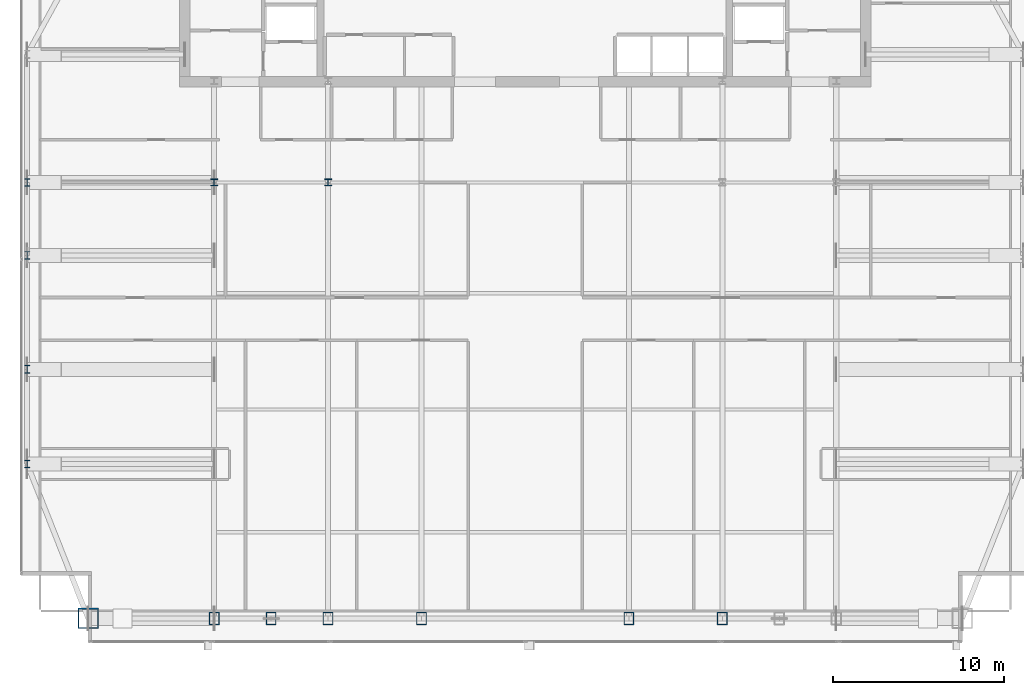
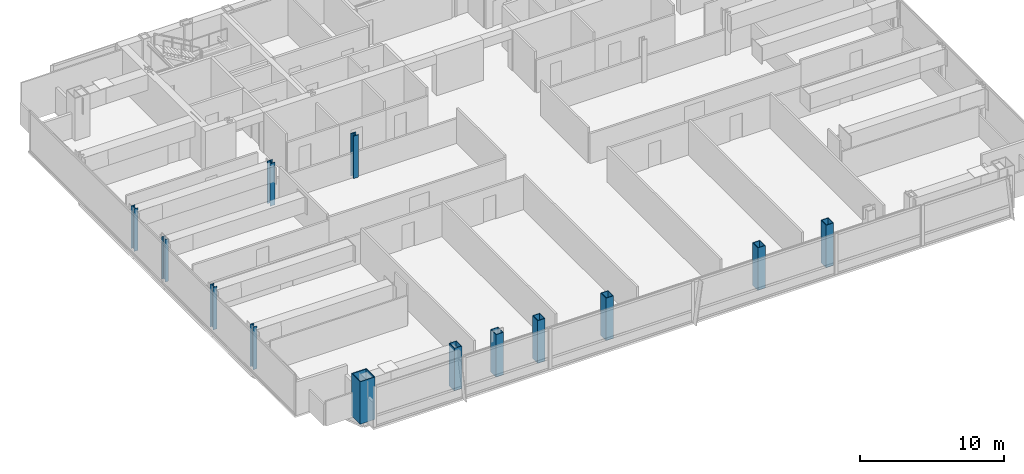
# One storey, part 1 of 26: 13 columns.
"""IFC4 building model written with IfcOpenShell, lengths in metres."""

from ifc_helpers import new_model, si_unit, direction, frame, origin, origin_2d, place, context, subcontext, project, spatial, hollow_rectangle, i_section, extrude, material, material_profile, profile_set, type_object, element, save


model = new_model("IFC4")

# Units and contexts
model_context = context("Model", 3, precision=1e-05, world=origin(), true_north=direction((0.0, 1.0)))
body_context = subcontext(model_context, "Body", "Model", "MODEL_VIEW")
ifc_project = project(units=[si_unit("LENGTHUNIT", "METRE"), si_unit("AREAUNIT", "SQUARE_METRE"), si_unit("VOLUMEUNIT", "CUBIC_METRE"), si_unit("PLANEANGLEUNIT", "RADIAN"), si_unit("MASSUNIT", "GRAM", prefix="KILO")], contexts=[model_context])

# Site, building, storey
site_placement = place(None, origin())
site = spatial("IfcSite", under=ifc_project, at=site_placement, CompositionType="ELEMENT")
building_placement = place(site_placement, origin())
building = spatial("IfcBuilding", under=site, at=building_placement, Name="Khoronbel Lancet Exchange", CompositionType="ELEMENT")
storey_placement = place(building_placement, frame((0.0, 0.0, 235.39990234375)))
storey = spatial("IfcBuildingStorey", under=building, at=storey_placement, Name="L60", CompositionType="ELEMENT", Elevation=235.39990234375)

# Columns
ifc_material_1 = material(Name="Steel S460", Category="steel")
ifc_material_profile_1 = material_profile(ifc_material_1, hollow_rectangle(XDim=0.60009765625, YDim=0.75, WallThickness=0.044921875, at=origin_2d()), Name="BOX 750x600x45")
ifc_profile_set_1 = profile_set([ifc_material_profile_1], Name="Steel S460")
column_type_1 = type_object("IfcColumnType", Name="COL-EC3", PredefinedType="COLUMN", material=ifc_profile_set_1)
for number, where, z_axis, x_axis, name in (
    (1, (18.22509765625, 10.14990234375, 0.0), (0.0, 0.0, 1.0), (1.0, 0.0, 0.0), "Structural column SC-W1 L60"),
    (2, (21.5625, 10.14990234375, 0.0), (0.0, 0.0, 1.0), (1.0, 0.0, 0.0), "Structural column SC-WM L60"),
    (3, (24.89990234375, 10.14990234375, 0.0), (0.0, 0.0, 1.0), (1.0, 0.0, 0.0), "Structural column SC-W2 L60"),
    (4, (30.375, 10.14990234375, 0.0), (0.0, 0.0, 1.0), (1.0, 0.0, 0.0), "Structural column SC-C1 L60"),
    (5, (42.52490234375, 10.14990234375, 0.0), (0.0, 0.0, 1.0), (1.0, 0.0, 0.0), "Structural column SC-C2 L60"),
    (6, (48.0, 10.14990234375, 0.0), (0.0, 0.0, 1.0), (1.0, 0.0, 0.0), "Structural column SC-E1 L60"),
):
    element("IfcColumn", number, at=place(storey_placement, frame(where, z_axis=z_axis, x_axis=x_axis)), inside=storey, type_object=column_type_1, Name=name, PredefinedType="COLUMN", context=body_context, shape_type="SweptSolid", body=[
        extrude(hollow_rectangle(XDim=0.60009765625, YDim=0.75, WallThickness=0.044921875, at=origin_2d()), origin(), (0.0, 0.0, 1.0), 3.60009765625),
    ])
ifc_material_2 = material(Name="Steel S355", Category="steel")
ifc_material_profile_2 = material_profile(ifc_material_2, i_section(OverallWidth=0.406005859375, OverallDepth=0.416015625, WebThickness=0.02978515625, FlangeThickness=0.048095703125, at=origin_2d()), Name="HD 400x382")
ifc_profile_set_2 = profile_set([ifc_material_profile_2], Name="Steel S355")
column_type_2 = type_object("IfcColumnType", Name="COL-IC3", PredefinedType="COLUMN", material=ifc_profile_set_2)
for number, where, z_axis, x_axis, name in (
    (7, (18.22509765625, 35.699951171875, 0.0), (0.0, 0.0, 1.0), (1.0, 0.0, 0.0), "Spine gravity column TC1 L60"),
    (8, (24.89990234375, 35.699951171875, 0.0), (0.0, 0.0, 1.0), (1.0, 0.0, 0.0), "Spine gravity column TC2 L60"),
):
    element("IfcColumn", number, at=place(storey_placement, frame(where, z_axis=z_axis, x_axis=x_axis)), inside=storey, type_object=column_type_2, Name=name, PredefinedType="COLUMN", context=body_context, shape_type="SweptSolid", body=[
        extrude(i_section(OverallWidth=0.406005859375, OverallDepth=0.416015625, WebThickness=0.02978515625, FlangeThickness=0.048095703125, at=origin_2d()), origin(), (0.0, 0.0, 1.0), 3.60009765625),
    ])
ifc_material_profile_3 = material_profile(ifc_material_2, i_section(OverallWidth=0.300048828125, OverallDepth=0.449951171875, WebThickness=0.013916015625, FlangeThickness=0.02587890625, at=origin_2d()), Name="HEB 450")
ifc_profile_set_3 = profile_set([ifc_material_profile_3], Name="Steel S355")
column_type_3 = type_object("IfcColumnType", Name="COL-LC2", PredefinedType="COLUMN", material=ifc_profile_set_3)
for number, where, z_axis, x_axis, name in (
    (9, (7.27001953125, 19.199951171875, 0.0), (0.0, 0.0, 1.0), (1.0, 0.0, 0.0), "Structural column WC-1 L60"),
    (10, (7.27001953125, 24.75, 0.0), (0.0, 0.0, 1.0), (1.0, 0.0, 0.0), "Structural column WC-2 L60"),
    (11, (7.27001953125, 31.425048828125, 0.0), (0.0, 0.0, 1.0), (1.0, 0.0, 0.0), "Structural column WC-M L60"),
    (12, (7.27001953125, 35.699951171875, 0.0), (0.0, 0.0, 1.0), (1.0, 0.0, 0.0), "Structural column WC-3 L60"),
):
    element("IfcColumn", number, at=place(storey_placement, frame(where, z_axis=z_axis, x_axis=x_axis)), inside=storey, type_object=column_type_3, Name=name, PredefinedType="COLUMN", context=body_context, shape_type="SweptSolid", body=[
        extrude(i_section(OverallWidth=0.300048828125, OverallDepth=0.449951171875, WebThickness=0.013916015625, FlangeThickness=0.02587890625, at=origin_2d()), origin(), (0.0, 0.0, 1.0), 3.60009765625),
    ])
ifc_material_profile_4 = material_profile(ifc_material_1, hollow_rectangle(XDim=1.199951171875, YDim=1.199951171875, WallThickness=0.06005859375, at=origin_2d()), Name="BOX 1200x1200x60")
ifc_profile_set_4 = profile_set([ifc_material_profile_4], Name="Steel S460")
column_type_4 = type_object("IfcColumnType", Name="COL-MC5", PredefinedType="COLUMN", material=ifc_profile_set_4)
column_placement = place(storey_placement, frame((10.85009765625, 10.14990234375, 0.0), z_axis=(0.0, 0.0, 1.0), x_axis=(1.0, 0.0, 0.0)))
element("IfcColumn", 13, at=column_placement, inside=storey, type_object=column_type_4, Name="Structural column MC-SW L60", PredefinedType="COLUMN", context=body_context, shape_type="SweptSolid", body=[
    extrude(hollow_rectangle(XDim=1.199951171875, YDim=1.199951171875, WallThickness=0.06005859375, at=origin_2d()), origin(), (0.0, 0.0, 1.0), 3.60009765625),
])

save(model, "model.ifc")
